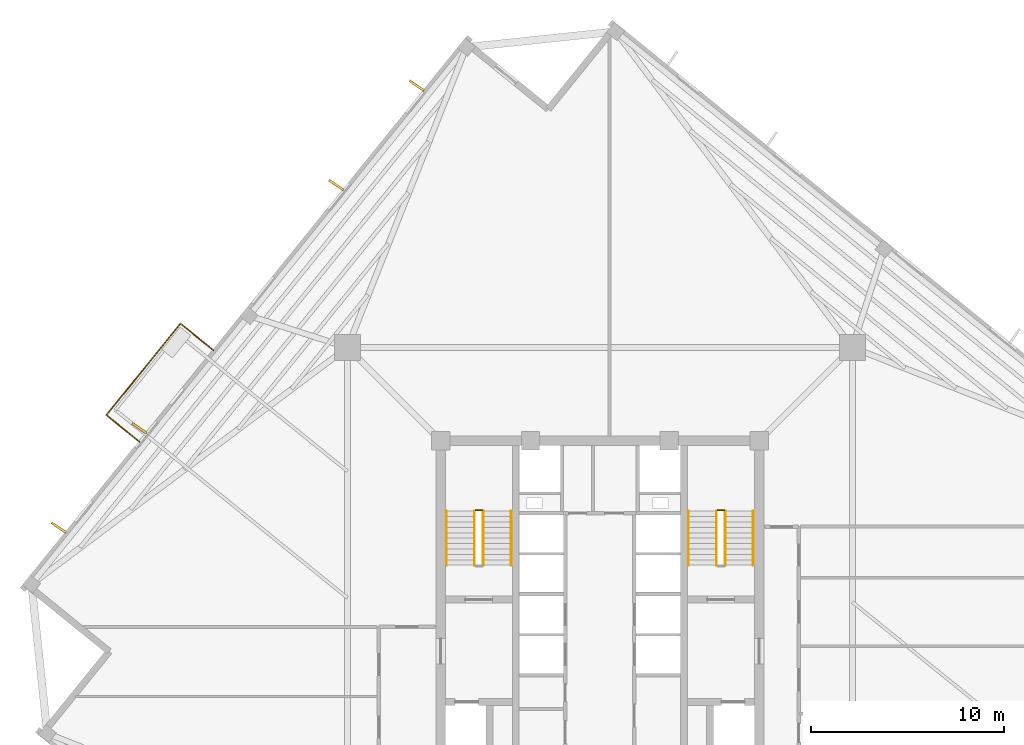
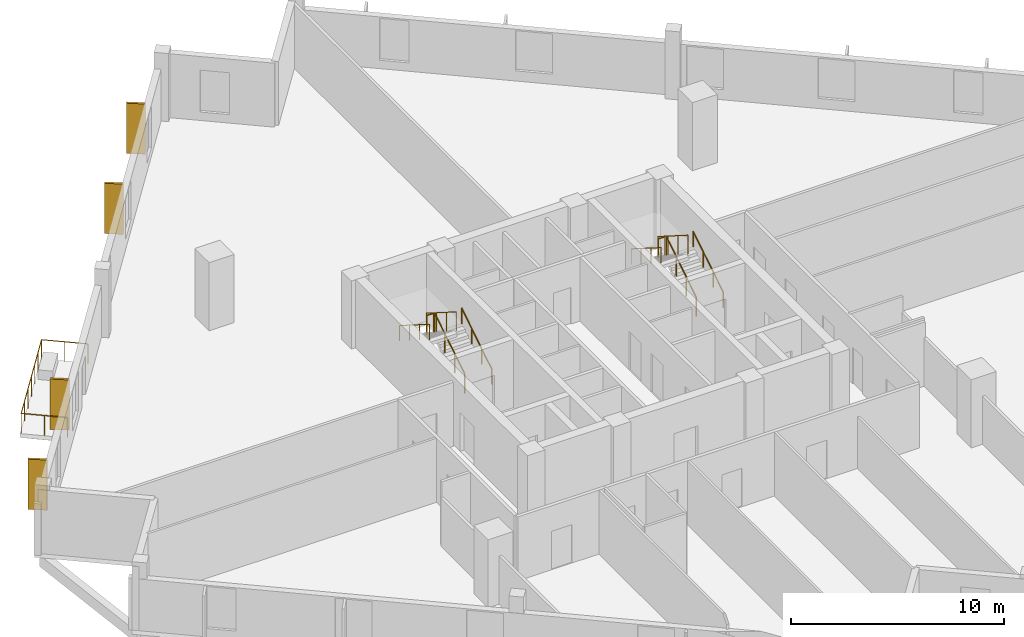
# One storey, part 8 of 9: 13 railings, 4 coverings.
"""IFC4 building model written with IfcOpenShell, lengths in metres."""

from ifc_helpers import new_model, si_unit, direction, frame, origin, origin_2d, place, context, subcontext, project, spatial, rectangle, circle, extrude, source, transform, mapped, material, layer, layer_set, type_object, element, save


model = new_model("IFC4")

# Units and contexts
model_context = context("Model", 3, precision=1e-05, world=origin(), true_north=direction((0.0, 1.0)))
body_context = subcontext(model_context, "Body", "Model", "MODEL_VIEW")
ifc_project = project(units=[si_unit("LENGTHUNIT", "METRE"), si_unit("AREAUNIT", "SQUARE_METRE"), si_unit("VOLUMEUNIT", "CUBIC_METRE"), si_unit("PLANEANGLEUNIT", "RADIAN"), si_unit("MASSUNIT", "GRAM", prefix="KILO"), si_unit("THERMODYNAMICTEMPERATUREUNIT", "KELVIN")], contexts=[model_context])

# Site, building, storey
site_placement = place(None, origin())
site = spatial("IfcSite", under=ifc_project, at=site_placement, CompositionType="ELEMENT")
building_placement = place(site_placement, origin())
building = spatial("IfcBuilding", under=site, at=building_placement, Name="Kosmvard Interchange Tower", CompositionType="ELEMENT")
storey_placement = place(building_placement, frame((0.0, 0.0, 209.5)))
storey = spatial("IfcBuildingStorey", under=building, at=storey_placement, Name="L50", CompositionType="ELEMENT", Elevation=209.5)

# Railings
ifc_material_1 = material(Name="Steel S355", Category="steel")
railing_type_1 = type_object("IfcRailingType", Name="Observation & Balcony Glass-Infill Balustrade 1150", PredefinedType="BALUSTRADE", material=ifc_material_1)
shared_shape_1 = source(origin(), body_context, "Body", "SweptSolid", [
    extrude(circle(Radius=0.02392578125, at=origin_2d()), frame((0.0, 0.0, 1.1259765625), z_axis=(0.777141488432, -0.629325914736, 0.0), x_axis=(0.629325914736, 0.777141488432, 0.0)), (0.0, 0.0, 1.0), 2.199951171875),
    extrude(circle(Radius=0.02099609375, at=origin_2d()), origin(), (0.0, 0.0, 1.0), 1.101806640625),
    extrude(circle(Radius=0.02099609375, at=origin_2d()), frame((0.85498046875, -0.6923828125, 0.0)), (0.0, 0.0, 1.0), 1.101806640625),
    extrude(circle(Radius=0.02099609375, at=origin_2d()), frame((1.709716796875, -1.384521484375, 0.0)), (0.0, 0.0, 1.0), 1.101806640625),
])
railing_1_placement = place(storey_placement, frame((-25.57177734375, 9.5771484375, 0.0)))
element("IfcRailing", 1, at=railing_1_placement, inside=storey, type_object=railing_type_1, Name="L50 Outdoor Terrace Guard BAL-L50-NE-C", PredefinedType="BALUSTRADE", context=body_context, shape_type="MappedRepresentation", body=[
    mapped(shared_shape_1, transform((0.0, 0.0, 0.0), scale=1.0)),
])
shared_shape_2 = source(origin(), body_context, "Body", "SweptSolid", [
    extrude(circle(Radius=0.02392578125, at=origin_2d()), frame((0.0, 0.0, 1.1259765625), z_axis=(-0.777141488432, 0.629325914736, 0.0), x_axis=(-0.629325914736, -0.777141488432, 0.0)), (0.0, 0.0, 1.0), 2.199951171875),
    extrude(circle(Radius=0.02099609375, at=origin_2d()), origin(), (0.0, 0.0, 1.0), 1.101806640625),
    extrude(circle(Radius=0.02099609375, at=origin_2d()), frame((-0.85498046875, 0.6923828125, 0.0)), (0.0, 0.0, 1.0), 1.101806640625),
    extrude(circle(Radius=0.02099609375, at=origin_2d()), frame((-1.709716796875, 1.384521484375, 0.0)), (0.0, 0.0, 1.0), 1.101806640625),
])
railing_2_placement = place(storey_placement, frame((-20.023193359375, 12.93310546875, 0.0)))
element("IfcRailing", 2, at=railing_2_placement, inside=storey, type_object=railing_type_1, Name="L50 Outdoor Terrace Guard BAL-L50-NE-A", PredefinedType="BALUSTRADE", context=body_context, shape_type="MappedRepresentation", body=[
    mapped(shared_shape_2, transform((0.0, 0.0, 0.0), scale=1.0)),
])

# Coverings
ifc_material_2 = material(Name="Architectural anodised aluminium", Category="aluminium")
ifc_layer = layer(ifc_material_2, 0.1201171875, Name="Architectural anodised aluminium")
ifc_layer_set = layer_set([ifc_layer], Name="Architectural anodised aluminium")
covering_type = type_object("IfcCoveringType", Name="Rotating Vertical Sun-Breaker Fin 900x120 Aluminium", PredefinedType="CLADDING", material=ifc_layer_set)
shared_shape_3 = source(origin(), body_context, "Body", "SweptSolid", [
    extrude(rectangle(XDim=0.89990234375, YDim=0.1201171875, at=origin_2d()), origin(), (0.0, 0.0, 1.0), 2.8798828125),
])
for number, where, z_axis, x_axis, name in (
    (3, (-9.494384765625, 26.650146484375, 0.0400390625), (0.0, 0.0, 1.0), (-0.821945274906, 0.569566471151, 0.0), "L50 Rotating Vertical Sun-Breaker Fin 09"),
    (4, (-13.66748046875, 21.49658203125, 0.0400390625), (0.0, 0.0, 1.0), (-0.821945274906, 0.569566471151, 0.0), "L50 Rotating Vertical Sun-Breaker Fin 10"),
    (5, (-23.86865234375, 8.8994140625, 0.0400390625), (0.0, 0.0, 1.0), (-0.821945274906, 0.569566471151, 0.0), "L50 Rotating Vertical Sun-Breaker Fin 11"),
    (6, (-28.041748046875, 3.74609375, 0.0400390625), (0.0, 0.0, 1.0), (-0.821945274906, 0.569566471151, 0.0), "L50 Rotating Vertical Sun-Breaker Fin 12"),
):
    element("IfcCovering", number, at=place(storey_placement, frame(where, z_axis=z_axis, x_axis=x_axis)), inside=storey, type_object=covering_type, Name=name, PredefinedType="CLADDING", context=body_context, shape_type="MappedRepresentation", body=[
        mapped(shared_shape_3, transform((0.0, 0.0, 0.0), scale=1.0)),
    ])

# Railings
shared_shape_4 = source(origin(), body_context, "Body", "SweptSolid", [
    extrude(circle(Radius=0.02392578125, at=origin_2d()), frame((0.0, 0.0, 1.1259765625), z_axis=(-0.629330626282, -0.777137673017, 0.0), x_axis=(0.777137673017, -0.629330626282, 0.0)), (0.0, 0.0, 1.0), 6.099853515625),
    extrude(circle(Radius=0.02099609375, at=origin_2d()), origin(), (0.0, 0.0, 1.0), 1.101806640625),
    extrude(circle(Radius=0.02099609375, at=origin_2d()), frame((-0.639892578125, -0.7900390625, 0.0)), (0.0, 0.0, 1.0), 1.101806640625),
    extrude(circle(Radius=0.02099609375, at=origin_2d()), frame((-1.279541015625, -1.580078125, 0.0)), (0.0, 0.0, 1.0), 1.101806640625),
    extrude(circle(Radius=0.02099609375, at=origin_2d()), frame((-1.91943359375, -2.3701171875, 0.0)), (0.0, 0.0, 1.0), 1.101806640625),
    extrude(circle(Radius=0.02099609375, at=origin_2d()), frame((-2.559326171875, -3.160400390625, 0.0)), (0.0, 0.0, 1.0), 1.101806640625),
    extrude(circle(Radius=0.02099609375, at=origin_2d()), frame((-3.198974609375, -3.950439453125, 0.0)), (0.0, 0.0, 1.0), 1.101806640625),
    extrude(circle(Radius=0.02099609375, at=origin_2d()), frame((-3.8388671875, -4.740478515625, 0.0)), (0.0, 0.0, 1.0), 1.101806640625),
])
railing_3_placement = place(storey_placement, frame((-21.73291015625, 14.317626953125, 0.0)))
element("IfcRailing", 7, at=railing_3_placement, inside=storey, type_object=railing_type_1, Name="L50 Outdoor Terrace Guard BAL-L50-NE-B", PredefinedType="BALUSTRADE", context=body_context, shape_type="MappedRepresentation", body=[
    mapped(shared_shape_4, transform((0.0, 0.0, 0.0), scale=1.0)),
])
railing_type_2 = type_object("IfcRailingType", Name="Stair & Terrace Safety Guardrail 1100 Steel", PredefinedType="GUARDRAIL", material=ifc_material_1)
shared_shape_5 = source(origin(), body_context, "Body", "SweptSolid", [
    extrude(circle(Radius=0.02392578125, at=origin_2d()), frame((0.0, 0.0, 1.076171875), z_axis=(-1.0, 0.0, 0.0), x_axis=(0.0, -1.0, 0.0)), (0.0, 0.0, 1.0), 0.35986328125),
    extrude(circle(Radius=0.02099609375, at=origin_2d()), origin(), (0.0, 0.0, 1.0), 1.052001953125),
    extrude(circle(Radius=0.02099609375, at=origin_2d()), frame((-0.35986328125, 0.0, 0.0)), (0.0, 0.0, 1.0), 1.052001953125),
])
for number, where, name in (
    (8, (-6.090087890625, 4.64990234375, 1.949951171875), "L50 ST-1 stair guard 2"),
    (9, (6.449951171875, 4.64990234375, 1.949951171875), "L50 ST-2 stair guard 2"),
):
    element("IfcRailing", number, at=place(storey_placement, frame(where)), inside=storey, type_object=railing_type_2, Name=name, PredefinedType="GUARDRAIL", context=body_context, shape_type="MappedRepresentation", body=[
        mapped(shared_shape_5, transform((0.0, 0.0, 0.0), scale=1.0)),
    ])
shared_shape_6 = source(origin(), body_context, "Body", "SweptSolid", [
    extrude(circle(Radius=0.02392578125, at=origin_2d()), frame((0.0, 0.0, 1.076171875), z_axis=(0.0, 0.844908973607, 0.534910110503), x_axis=(-1.0, 0.0, 0.0)), (0.0, 0.0, 1.0), 3.31396484375),
    extrude(circle(Radius=0.02099609375, at=origin_2d()), origin(), (0.0, 0.0, 1.0), 1.052001953125),
    extrude(circle(Radius=0.02099609375, at=origin_2d()), frame((0.0, 0.933349609375, 0.5908203125)), (0.0, 0.0, 1.0), 1.052001953125),
    extrude(circle(Radius=0.02099609375, at=origin_2d()), frame((0.0, 1.86669921875, 1.181884765625)), (0.0, 0.0, 1.0), 1.052001953125),
    extrude(circle(Radius=0.02099609375, at=origin_2d()), frame((0.0, 2.800048828125, 1.772705078125)), (0.0, 0.0, 1.0), 1.052001953125),
])
for number, where, name in (
    (10, (-6.0400390625, 1.800048828125, 0.17724609375), "L50 ST-1 stair guard 1"),
    (11, (6.5, 1.800048828125, 0.17724609375), "L50 ST-2 stair guard 1"),
):
    element("IfcRailing", number, at=place(storey_placement, frame(where)), inside=storey, type_object=railing_type_2, Name=name, PredefinedType="GUARDRAIL", context=body_context, shape_type="MappedRepresentation", body=[
        mapped(shared_shape_6, transform((0.0, 0.0, 0.0), scale=1.0)),
    ])
shared_shape_7 = source(origin(), body_context, "Body", "SweptSolid", [
    extrude(circle(Radius=0.02392578125, at=origin_2d()), frame((0.0, 0.0, 1.076171875), z_axis=(0.0, -0.844908973607, 0.534910110503), x_axis=(1.0, 0.0, 0.0)), (0.0, 0.0, 1.0), 3.31396484375),
    extrude(circle(Radius=0.02099609375, at=origin_2d()), origin(), (0.0, 0.0, 1.0), 1.052001953125),
    extrude(circle(Radius=0.02099609375, at=origin_2d()), frame((0.0, -0.933349609375, 0.5908203125)), (0.0, 0.0, 1.0), 1.052001953125),
    extrude(circle(Radius=0.02099609375, at=origin_2d()), frame((0.0, -1.86669921875, 1.181884765625)), (0.0, 0.0, 1.0), 1.052001953125),
    extrude(circle(Radius=0.02099609375, at=origin_2d()), frame((0.0, -2.800048828125, 1.772705078125)), (0.0, 0.0, 1.0), 1.052001953125),
])
for number, where, name in (
    (12, (-6.5, 4.60009765625, 2.127197265625), "L50 ST-1 stair guard 3"),
    (13, (6.0400390625, 4.60009765625, 2.127197265625), "L50 ST-2 stair guard 3"),
):
    element("IfcRailing", number, at=place(storey_placement, frame(where)), inside=storey, type_object=railing_type_2, Name=name, PredefinedType="GUARDRAIL", context=body_context, shape_type="MappedRepresentation", body=[
        mapped(shared_shape_7, transform((0.0, 0.0, 0.0), scale=1.0)),
    ])
railing_type_3 = type_object("IfcRailingType", Name="Wall-Mounted Stair Handrail 900 Steel", PredefinedType="HANDRAIL", material=ifc_material_1)
shared_shape_8 = source(origin(), body_context, "Body", "SweptSolid", [
    extrude(circle(Radius=0.02392578125, at=origin_2d()), frame((0.0, 0.0, 0.8759765625), z_axis=(0.0, 0.844908973607, 0.534910110503), x_axis=(-1.0, 0.0, 0.0)), (0.0, 0.0, 1.0), 3.31396484375),
    extrude(circle(Radius=0.02099609375, at=origin_2d()), origin(), (0.0, 0.0, 1.0), 0.851806640625),
    extrude(circle(Radius=0.02099609375, at=origin_2d()), frame((0.0, 0.933349609375, 0.5908203125)), (0.0, 0.0, 1.0), 0.851806640625),
    extrude(circle(Radius=0.02099609375, at=origin_2d()), frame((0.0, 1.86669921875, 1.181884765625)), (0.0, 0.0, 1.0), 0.851806640625),
    extrude(circle(Radius=0.02099609375, at=origin_2d()), frame((0.0, 2.800048828125, 1.772705078125)), (0.0, 0.0, 1.0), 0.851806640625),
])
for number, where, name in (
    (14, (-4.590087890625, 1.800048828125, 0.17724609375), "L50 ST-1 stair handrail 1"),
    (15, (7.949951171875, 1.800048828125, 0.17724609375), "L50 ST-2 stair handrail 1"),
):
    element("IfcRailing", number, at=place(storey_placement, frame(where)), inside=storey, type_object=railing_type_3, Name=name, PredefinedType="HANDRAIL", context=body_context, shape_type="MappedRepresentation", body=[
        mapped(shared_shape_8, transform((0.0, 0.0, 0.0), scale=1.0)),
    ])
shared_shape_9 = source(origin(), body_context, "Body", "SweptSolid", [
    extrude(circle(Radius=0.02392578125, at=origin_2d()), frame((0.0, 0.0, 0.8759765625), z_axis=(0.0, -0.844908973607, 0.534910110503), x_axis=(1.0, 0.0, 0.0)), (0.0, 0.0, 1.0), 3.31396484375),
    extrude(circle(Radius=0.02099609375, at=origin_2d()), origin(), (0.0, 0.0, 1.0), 0.851806640625),
    extrude(circle(Radius=0.02099609375, at=origin_2d()), frame((0.0, -0.933349609375, 0.5908203125)), (0.0, 0.0, 1.0), 0.851806640625),
    extrude(circle(Radius=0.02099609375, at=origin_2d()), frame((0.0, -1.86669921875, 1.181884765625)), (0.0, 0.0, 1.0), 0.851806640625),
    extrude(circle(Radius=0.02099609375, at=origin_2d()), frame((0.0, -2.800048828125, 1.772705078125)), (0.0, 0.0, 1.0), 0.851806640625),
])
for number, where, name in (
    (16, (-7.949951171875, 4.60009765625, 2.127197265625), "L50 ST-1 stair handrail 2"),
    (17, (4.590087890625, 4.60009765625, 2.127197265625), "L50 ST-2 stair handrail 2"),
):
    element("IfcRailing", number, at=place(storey_placement, frame(where)), inside=storey, type_object=railing_type_3, Name=name, PredefinedType="HANDRAIL", context=body_context, shape_type="MappedRepresentation", body=[
        mapped(shared_shape_9, transform((0.0, 0.0, 0.0), scale=1.0)),
    ])

save(model, "model.ifc")
